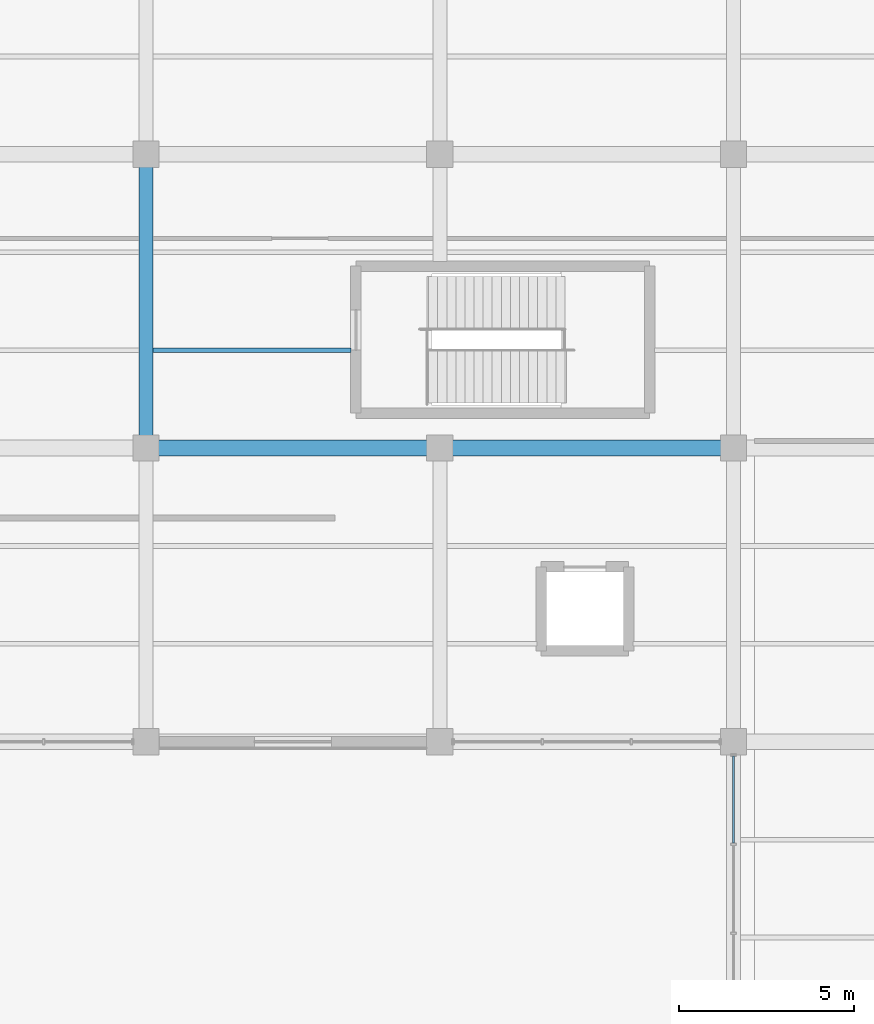
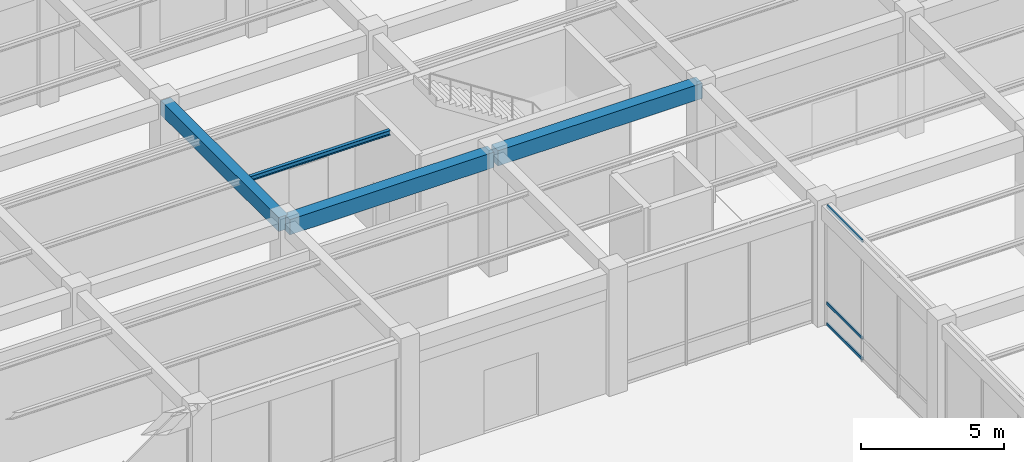
# One storey, part 21 of 157: 4 beams, 3 members, 1 element without a shape of its own.
"""IFC4 building model written with IfcOpenShell, lengths in metres."""

from ifc_helpers import new_model, si_unit, direction, frame, origin, origin_2d, place, context, subcontext, project, spatial, rectangle, hollow_rectangle, i_section, extrude, material, material_profile, profile_set, type_object, element, aggregate, save


model = new_model("IFC4")

# Units and contexts
model_context = context("Model", 3, precision=1e-05, world=origin(), true_north=direction((0.0, 1.0)))
body_context = subcontext(model_context, "Body", "Model", "MODEL_VIEW")
ifc_project = project(units=[si_unit("LENGTHUNIT", "METRE"), si_unit("AREAUNIT", "SQUARE_METRE"), si_unit("VOLUMEUNIT", "CUBIC_METRE"), si_unit("PLANEANGLEUNIT", "RADIAN"), si_unit("MASSUNIT", "GRAM", prefix="KILO"), si_unit("THERMODYNAMICTEMPERATUREUNIT", "KELVIN"), si_unit("POWERUNIT", "WATT")], contexts=[model_context])

# Site, building, storey
site_placement = place(None, origin())
site = spatial("IfcSite", under=ifc_project, at=site_placement, CompositionType="ELEMENT")
building_placement = place(site_placement, origin())
building = spatial("IfcBuilding", under=site, at=building_placement, Name="Darbajah Civic Hall", CompositionType="ELEMENT")
storey_placement = place(building_placement, origin())
storey = spatial("IfcBuildingStorey", under=building, at=storey_placement, Name="L00", CompositionType="ELEMENT", Elevation=0.0)

# Curtain wall, members
ifc_material_1 = material(Name="Anodised Bronze Aluminium and Low-E Glazing", Category="aluminium")
curtain_wall_type = type_object("IfcCurtainWallType", Name="Unitised Curtain Wall CW-98 7600x5150", PredefinedType="USERDEFINED", material=ifc_material_1)
curtain_wall_placement = place(storey_placement, origin())
curtain_wall = element("IfcCurtainWall", 1, at=curtain_wall_placement, inside=storey, type_object=curtain_wall_type, Name="L00 unitised curtain wall CW-V5-L00-S3-B0", ObjectType="UNITISED CURTAIN WALL", PredefinedType="USERDEFINED")
ifc_material_2 = material(Name="Anodised Bronze Aluminium", Category="aluminium")
ifc_material_profile_1 = material_profile(ifc_material_2, hollow_rectangle(XDim=0.06005859375, YDim=0.1201171875, WallThickness=0.003173828125, at=origin_2d()), Name="ALU TRANSOM 60x120")
ifc_profile_set_1 = profile_set([ifc_material_profile_1], Name="Anodised Bronze Aluminium")
member_type = type_object("IfcMemberType", Name="ALU TRANSOM 60x120", PredefinedType="USERDEFINED", material=ifc_profile_set_1)
member_1_placement = place(storey_placement, frame((50.39990234375, 16.387939453125, 0.06005859375), z_axis=(0.0, -1.0, 0.0), x_axis=(1.0, 0.0, 0.0)))
member_1 = element("IfcMember", 2, at=member_1_placement, type_object=member_type, Name="CW-V5-L00-S3-B0 transom 1.1", ObjectType="TRANSOM", PredefinedType="USERDEFINED", context=body_context, shape_type="SweptSolid", body=[
    extrude(hollow_rectangle(XDim=0.06005859375, YDim=0.1201171875, WallThickness=0.003173828125, at=origin_2d()), origin(), (0.0, 0.0, 1.0), 2.478759765625),
])
member_2_placement = place(storey_placement, frame((50.39990234375, 16.387939453125, 0.949951171875), z_axis=(0.0, -1.0, 0.0), x_axis=(1.0, 0.0, 0.0)))
member_2 = element("IfcMember", 3, at=member_2_placement, type_object=member_type, Name="CW-V5-L00-S3-B0 transom 1.2", ObjectType="TRANSOM", PredefinedType="USERDEFINED", context=body_context, shape_type="SweptSolid", body=[
    extrude(hollow_rectangle(XDim=0.06005859375, YDim=0.1201171875, WallThickness=0.003173828125, at=origin_2d()), origin(), (0.0, 0.0, 1.0), 2.478759765625),
])
member_3_placement = place(storey_placement, frame((50.39990234375, 16.387939453125, 5.080078125), z_axis=(0.0, -1.0, 0.0), x_axis=(1.0, 0.0, 0.0)))
member_3 = element("IfcMember", 4, at=member_3_placement, type_object=member_type, Name="CW-V5-L00-S3-B0 transom 1.3", ObjectType="TRANSOM", PredefinedType="USERDEFINED", context=body_context, shape_type="SweptSolid", body=[
    extrude(hollow_rectangle(XDim=0.06005859375, YDim=0.1201171875, WallThickness=0.003173828125, at=origin_2d()), origin(), (0.0, 0.0, 1.0), 2.478759765625),
])
aggregate(curtain_wall, [member_1, member_2, member_3])

# Beams
ifc_material_3 = material(Name="Concrete C45/55", Category="concrete")
ifc_material_profile_2 = material_profile(ifc_material_3, rectangle(XDim=0.39990234375, YDim=0.60009765625, at=origin_2d()), Name="RC BEAM 400x600")
ifc_profile_set_2 = profile_set([ifc_material_profile_2], Name="Concrete C45/55")
beam_type_1 = type_object("IfcBeamType", Name="RC BEAM 400x600", PredefinedType="BEAM", material=ifc_profile_set_2)
beam_1_placement = place(storey_placement, frame((33.60009765625, 25.280029296875, 4.840087890625), z_axis=(0.0, 1.0, 0.0), x_axis=(-1.0, 0.0, 0.0)))
element("IfcBeam", 5, at=beam_1_placement, inside=storey, type_object=beam_type_1, Name="L00 beam BM-4060", PredefinedType="BEAM", context=body_context, shape_type="SweptSolid", body=[
    extrude(rectangle(XDim=0.39990234375, YDim=0.60009765625, at=origin_2d()), origin(), (0.0, 0.0, 1.0), 8.239990234375),
])
ifc_material_profile_3 = material_profile(ifc_material_3, rectangle(XDim=0.449951171875, YDim=0.64990234375, at=origin_2d()), Name="RC BEAM 450x650")
ifc_profile_set_3 = profile_set([ifc_material_profile_3], Name="Concrete C45/55")
beam_type_2 = type_object("IfcBeamType", Name="RC BEAM 450x650", PredefinedType="BEAM", material=ifc_profile_set_3)
for number, where, z_axis, x_axis, name in (
    (6, (33.679931640625, 25.199951171875, 4.81494140625), (1.0, 0.0, 0.0), (0.0, 1.0, 0.0), "L00 beam BM-4565"),
    (7, (42.080078125, 25.199951171875, 4.81494140625), (1.0, 0.0, 0.0), (0.0, 1.0, 0.0), "L00 beam BM-4565"),
):
    element("IfcBeam", number, at=place(storey_placement, frame(where, z_axis=z_axis, x_axis=x_axis)), inside=storey, type_object=beam_type_2, Name=name, PredefinedType="BEAM", context=body_context, shape_type="SweptSolid", body=[
        extrude(rectangle(XDim=0.449951171875, YDim=0.64990234375, at=origin_2d()), origin(), (0.0, 0.0, 1.0), 8.239990234375),
    ])
ifc_material_4 = material(Name="Steel S355JR", Category="steel")
ifc_material_profile_4 = material_profile(ifc_material_4, i_section(OverallWidth=0.1337890625, OverallDepth=0.206787109375, WebThickness=0.00634765625, FlangeThickness=0.009521484375, FilletRadius=0.007568359375, at=origin_2d()), Name="UB 203x133x30")
ifc_profile_set_4 = profile_set([ifc_material_profile_4], Name="Steel S355JR")
beam_type_3 = type_object("IfcBeamType", Name="UB 203x133x30", PredefinedType="JOIST", material=ifc_profile_set_4)
beam_2_placement = place(storey_placement, frame((33.800048828125, 28.0, 5.03662109375), z_axis=(1.0, 0.0, 0.0), x_axis=(0.0, 1.0, 0.0)))
element("IfcBeam", 8, at=beam_2_placement, inside=storey, type_object=beam_type_3, Name="L00 beam SJ-203", PredefinedType="JOIST", context=body_context, shape_type="SweptSolid", body=[
    extrude(i_section(OverallWidth=0.1337890625, OverallDepth=0.206787109375, WebThickness=0.00634765625, FlangeThickness=0.009521484375, FilletRadius=0.007568359375, at=origin_2d()), origin(), (0.0, 0.0, 1.0), 5.659912109375),
])

save(model, "model.ifc")
